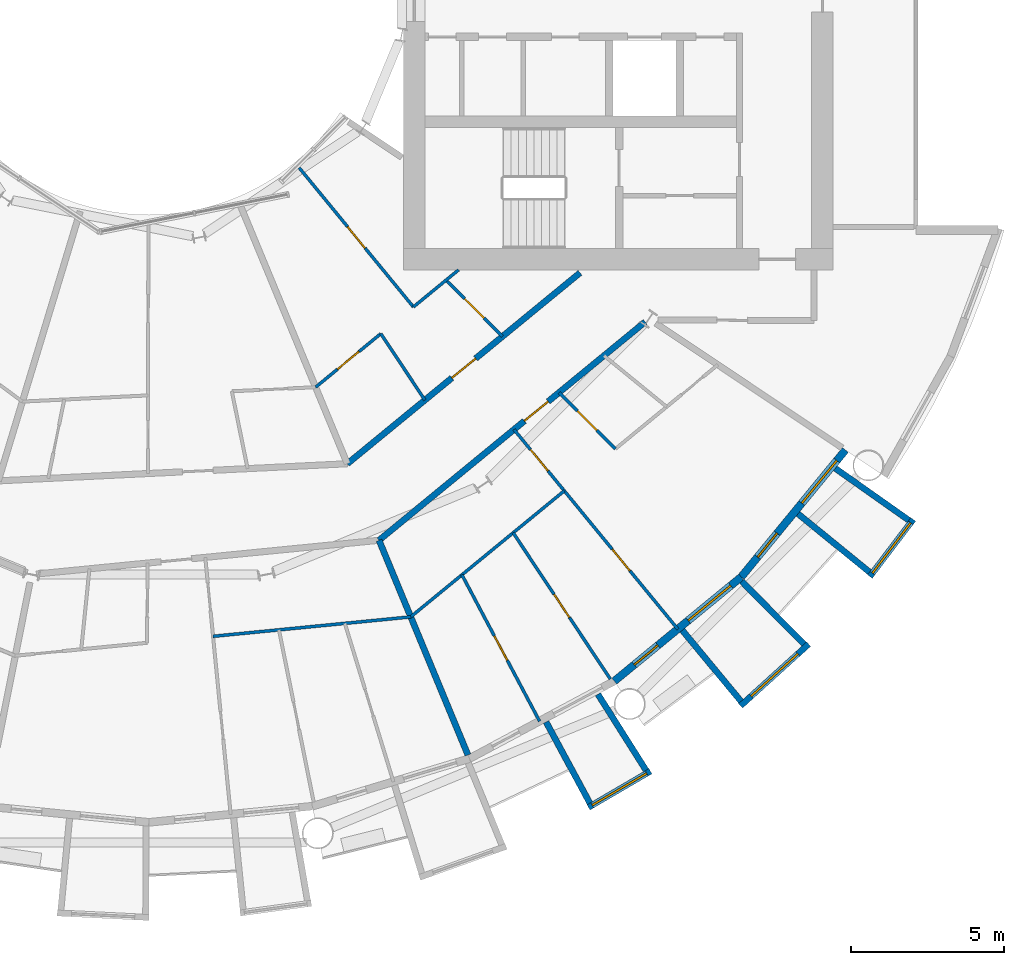
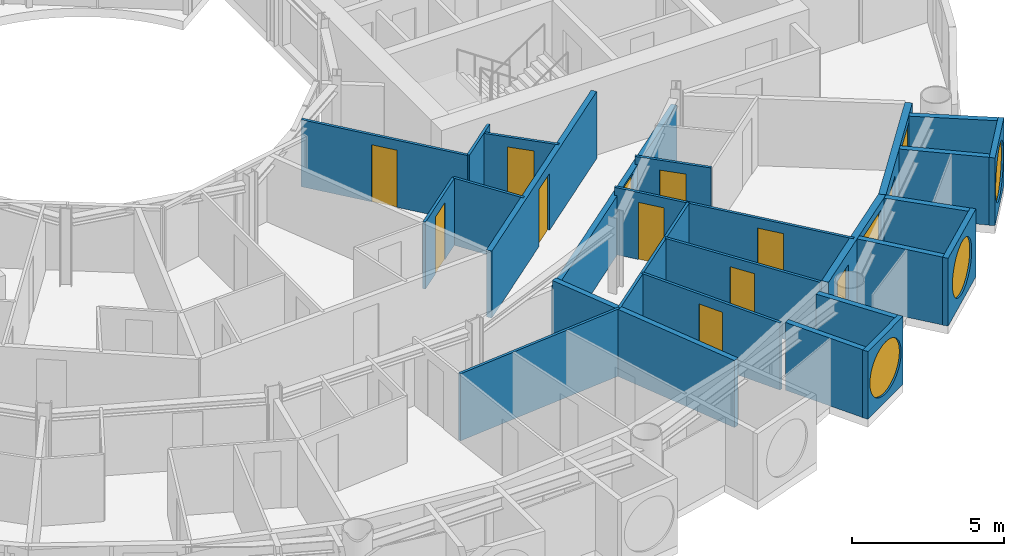
# One storey, part 16 of 26: 25 walls, 12 doors, 5 windows, 17 openings.
"""IFC4 building model written with IfcOpenShell, lengths in metres."""

import ifcopenshell
import ifcopenshell.guid

model = None  # the IFC model being written
_history = None  # IfcOwnerHistory: only IFC2X3 demands one
_inside = {}  # id of a spatial element -> (the spatial element, [elements in it])
_under = {}  # id of a project, library or spatial element -> (it, [spatial elements below it])
_declared = {}  # id of a project -> (the project, [libraries it declares])
_typed = {}  # id of a type object -> (the type object, [elements of that type])
_made_of = {}  # id of a material, layer set ... -> (it, [elements and type objects made of it])


def new_model(schema):
    """Start an empty IFC model of exactly this schema.

    Asked for "IFC4X3", IfcOpenShell would pick the latest addendum, in which some entities
    have other attributes; the version numbers below select the first issue.
    IFC2X3 requires an IfcOwnerHistory on every rooted entity: one is made here for all.
    """
    global model, _history
    if schema == "IFC4X3":
        model = ifcopenshell.file(schema_version=(4, 3, 0, 0))
    else:
        model = ifcopenshell.file(schema=schema)
    _inside.clear()
    _under.clear()
    _declared.clear()
    _typed.clear()
    _made_of.clear()
    _history = None
    if model.schema == "IFC2X3":
        org = make("IfcOrganization", Name="unknown")
        user = make(
            "IfcPersonAndOrganization",
            ThePerson=make("IfcPerson", FamilyName="unknown"),
            TheOrganization=org,
        )
        app = make(
            "IfcApplication",
            ApplicationDeveloper=org,
            Version="unknown",
            ApplicationFullName="unknown",
            ApplicationIdentifier="unknown",
        )
        _history = make(
            "IfcOwnerHistory",
            OwningUser=user,
            OwningApplication=app,
            ChangeAction="ADDED",
            CreationDate=0,
        )
    return model


def make(cls, **values):
    """One entity of the class cls with the attributes given. An attribute that is None is left unset."""
    return model.create_entity(
        cls, **{name: value for name, value in values.items() if value is not None}
    )


def rooted(cls, **values):
    """An entity with a GlobalId (a new one), such as an element, a storey or a relation."""
    return make(cls, GlobalId=ifcopenshell.guid.new(), OwnerHistory=_history, **values)


def si_unit(unit_type, name, prefix=None):
    """IfcSIUnit, for example si_unit("LENGTHUNIT", "METRE", prefix="MILLI")."""
    return make("IfcSIUnit", UnitType=unit_type, Prefix=prefix, Name=name)


def assignment(units):
    """IfcUnitAssignment: the units of a project."""
    return None if units is None else make("IfcUnitAssignment", Units=units)


def point(xyz):
    """IfcCartesianPoint."""
    return None if xyz is None else make("IfcCartesianPoint", Coordinates=xyz)


def direction(xyz):
    """IfcDirection."""
    return None if xyz is None else make("IfcDirection", DirectionRatios=xyz)


def frame(location, z_axis=None, x_axis=None):
    """IfcAxis2Placement3D, a coordinate frame: its origin and axes. An axis left out is left unset."""
    return make(
        "IfcAxis2Placement3D",
        Location=point(location),
        Axis=direction(z_axis),
        RefDirection=direction(x_axis),
    )


def frame_2d(location, x_axis=None):
    """IfcAxis2Placement2D, a coordinate frame in the plane: its origin and x axis."""
    return make(
        "IfcAxis2Placement2D", Location=point(location), RefDirection=direction(x_axis)
    )


def origin():
    """The frame at (0, 0, 0) with its axes left unset."""
    return frame((0.0, 0.0, 0.0))


def place(relative_to, where):
    """IfcLocalPlacement: puts the frame where relative to a parent placement (None: the world)."""
    return make(
        "IfcLocalPlacement", PlacementRelTo=relative_to, RelativePlacement=where
    )


def context(
    kind, dimensions, precision=None, world=None, true_north=None, identifier=None
):
    """IfcGeometricRepresentationContext, for example the 3D "Model" context."""
    return make(
        "IfcGeometricRepresentationContext",
        ContextIdentifier=identifier,
        ContextType=kind,
        CoordinateSpaceDimension=dimensions,
        Precision=precision,
        WorldCoordinateSystem=world,
        TrueNorth=true_north,
    )


def subcontext(parent, identifier, kind, view, scale=None):
    """IfcGeometricRepresentationSubContext, for example "Body" below "Model"."""
    return make(
        "IfcGeometricRepresentationSubContext",
        ContextIdentifier=identifier,
        ContextType=kind,
        ParentContext=parent,
        TargetScale=scale,
        TargetView=view,
    )


def project(units=None, contexts=None):
    """IfcProject with its units and contexts."""
    return rooted(
        "IfcProject",
        Name="project",
        RepresentationContexts=contexts,
        UnitsInContext=assignment(units),
    )


def spatial(cls, under=None, at=None, **own):
    """A site, building, storey or space (cls), placed at a placement, below another one or the project."""
    s = rooted(cls, ObjectPlacement=at, **own)
    if under is not None:
        _under.setdefault(under.id(), (under, []))[1].append(s)
    return s


def profile(cls, at=None, kind="AREA", **sizes):
    """A parametric profile (cls). Its sizes go by their IFC names, for example OverallWidth=200.0."""
    return make(cls, ProfileType=kind, Position=at, **sizes)


def rectangle(**sizes):
    """IfcRectangleProfileDef."""
    return profile("IfcRectangleProfileDef", **sizes)


def circle(**sizes):
    """IfcCircleProfileDef."""
    return profile("IfcCircleProfileDef", **sizes)


def extrude(swept, where, along, depth):
    """IfcExtrudedAreaSolid: the profile swept, set in the frame where, extruded along a direction by depth."""
    return make(
        "IfcExtrudedAreaSolid",
        SweptArea=swept,
        Position=where,
        ExtrudedDirection=direction(along),
        Depth=depth,
    )


def shape(context_of_items, identifier, shape_type, items):
    """IfcShapeRepresentation: the items that make up one representation, for example the "Body"."""
    return make(
        "IfcShapeRepresentation",
        ContextOfItems=context_of_items,
        RepresentationIdentifier=identifier,
        RepresentationType=shape_type,
        Items=items,
    )


def material(Name=None, Category=None):
    """IfcMaterial."""
    return make("IfcMaterial", Name=Name, Category=Category)


def layer(
    of_material, thickness, ventilated=None, Name=None, Category=None, Priority=None
):
    """IfcMaterialLayer: one layer of a wall or slab, of a material (None: an air gap)."""
    return make(
        "IfcMaterialLayer",
        Material=of_material,
        LayerThickness=thickness,
        IsVentilated=ventilated,
        Name=Name,
        Category=Category,
        Priority=Priority,
    )


def layer_set(layers, Name=None):
    """IfcMaterialLayerSet."""
    return make("IfcMaterialLayerSet", MaterialLayers=layers, LayerSetName=Name)


def made_of(thing, what):
    """Note that an element or type object is made of a material, layer set ...; save() writes the relation."""
    if what is not None:
        _made_of.setdefault(what.id(), (what, []))[1].append(thing)
    return thing


def type_object(cls, material=None, **own):
    """A type object (cls), such as IfcWallType, which elements share."""
    return made_of(rooted(cls, **own), material)


def element(
    cls,
    number,
    at=None,
    inside=None,
    cuts=None,
    type_object=None,
    material=None,
    context=None,
    identifier="Body",
    shape_type=None,
    held_by="IfcProductDefinitionShape",
    body=None,
    shapes=None,
    **own,
):
    """One element of the class cls, such as IfcWall. Its Tag is "e" and its number.

    at: its placement. inside: the storey or other place that contains it. cuts: it is an
    opening in that element (IfcRelVoidsElement). A single representation is given by context,
    identifier, shape_type and body (its items); several are given by shapes. held_by: the class
    of the entity that holds the representations. save() writes the other relations.
    """
    e = rooted(cls, Tag="e%d" % number, ObjectPlacement=at, **own)
    if body is not None:
        shapes = [shape(context, identifier, shape_type, body)]
    if shapes is not None:
        e.Representation = make(held_by, Representations=shapes)
    if inside is not None:
        _inside.setdefault(inside.id(), (inside, []))[1].append(e)
    if cuts is not None:
        rooted(
            "IfcRelVoidsElement", RelatingBuildingElement=cuts, RelatedOpeningElement=e
        )
    if type_object is not None:
        _typed.setdefault(type_object.id(), (type_object, []))[1].append(e)
    return made_of(e, material)


def fill(opening, filler):
    """IfcRelFillsElement: the door or window that sits in an opening."""
    return rooted(
        "IfcRelFillsElement",
        RelatingOpeningElement=opening,
        RelatedBuildingElement=filler,
    )


def aggregate(whole, parts):
    """IfcRelAggregates: a whole, such as a stair, and the parts it consists of."""
    return rooted("IfcRelAggregates", RelatingObject=whole, RelatedObjects=parts)


def save(model, path):
    """Write the relations noted so far, then the file.

    IfcRelAggregates (storeys below a building ...), IfcRelContainedInSpatialStructure (elements
    in a storey), IfcRelDefinesByType, IfcRelAssociatesMaterial and IfcRelDeclares: one each for
    every whole, place, type object, material and project.
    """
    for whole, parts in _under.values():
        aggregate(whole, parts)
    for where, things in _inside.values():
        rooted(
            "IfcRelContainedInSpatialStructure",
            RelatedElements=things,
            RelatingStructure=where,
        )
    for kind, things in _typed.values():
        rooted("IfcRelDefinesByType", RelatedObjects=things, RelatingType=kind)
    for what, things in _made_of.values():
        rooted("IfcRelAssociatesMaterial", RelatedObjects=things, RelatingMaterial=what)
    for by, libraries in _declared.values():
        rooted("IfcRelDeclares", RelatingContext=by, RelatedDefinitions=libraries)
    model.write(path)


model = new_model("IFC4")

# Units and contexts
model_context = context("Model", 3, precision=1e-05, world=origin(), true_north=direction((0.0, 1.0)))
body_context = subcontext(model_context, "Body", "Model", "MODEL_VIEW")
ifc_project = project(units=[si_unit("LENGTHUNIT", "METRE"), si_unit("AREAUNIT", "SQUARE_METRE"), si_unit("VOLUMEUNIT", "CUBIC_METRE"), si_unit("PLANEANGLEUNIT", "RADIAN"), si_unit("MASSUNIT", "GRAM", prefix="KILO")], contexts=[model_context])

# Site, building, storey
site_placement = place(None, origin())
site = spatial("IfcSite", under=ifc_project, at=site_placement, CompositionType="ELEMENT")
building_placement = place(site_placement, origin())
building = spatial("IfcBuilding", under=site, at=building_placement, Name="Maasbend Ring Residences", CompositionType="ELEMENT")
storey_placement = place(building_placement, frame((0.0, 0.0, 66.64990234375)))
storey = spatial("IfcBuildingStorey", under=building, at=storey_placement, Name="L18", CompositionType="ELEMENT", Elevation=66.64990234375)

# Wall, opening, door
ifc_material_1 = material(Name="Concrete C30/37", Category="concrete")
ifc_layer_1 = layer(ifc_material_1, 0.199951171875)
ifc_layer_set_1 = layer_set([ifc_layer_1], Name="Concrete C30/37")
wall_type_1 = type_object("IfcWallType", Name="CORRIDOR WALL 200 CONCRETE", PredefinedType="PARTITIONING", material=ifc_layer_set_1)
wall_1_placement = place(storey_placement, frame((7.498046875, -18.10888671875, 0.0), z_axis=(0.0, 0.0, 1.0), x_axis=(0.773076379635, 0.634312944256, 0.0)))
wall_1 = element("IfcWall", 1, at=wall_1_placement, inside=storey, type_object=wall_type_1, Name="U-L18-w014", PredefinedType="PARTITIONING", context=body_context, shape_type="SweptSolid", body=[
    extrude(rectangle(XDim=11.221435546875, YDim=0.199951171875, at=frame_2d((5.61083984375, 0.0))), origin(), (0.0, 0.0, 1.0), 2.380126953125),
])
opening_1_placement = place(wall_1_placement, frame((6.132080078125, 0.0, 0.0)))
opening_1 = element("IfcOpeningElement", 2, at=opening_1_placement, cuts=wall_1, Name="Opening D-1850", PredefinedType="OPENING", context=body_context, shape_type="SweptSolid", body=[
    extrude(rectangle(XDim=1.0, YDim=2.300048828125, at=frame_2d((0.5, 1.14990234375))), frame((0.0, 0.10986328125, 0.0), z_axis=(0.0, -1.0, 0.0), x_axis=(1.0, 0.0, 0.0)), (0.0, 0.0, 1.0), 0.219970703125),
])
ifc_material_2 = material(Name="Timber, fire-rated, painted", Category="wood")
door_type_1 = type_object("IfcDoorType", Name="FLAT ENTRANCE DOOR 1000 X 2300 FIRE-RATED", OperationType="NOTDEFINED", PredefinedType="DOOR", material=ifc_material_2)
door_1_placement = place(opening_1_placement, origin())
door_1 = element("IfcDoor", 3, at=door_1_placement, inside=storey, type_object=door_type_1, Name="D-1850", OperationType="SINGLE_SWING_RIGHT", OverallHeight=2.300048828125, OverallWidth=1.0, PredefinedType="DOOR", context=body_context, shape_type="SweptSolid", body=[
    extrude(rectangle(XDim=1.0, YDim=2.300048828125, at=frame_2d((0.5, 1.14990234375))), frame((0.0, 0.02490234375, 0.0), z_axis=(0.0, -1.0, 0.0), x_axis=(1.0, 0.0, 0.0)), (0.0, 0.0, 1.0), 0.050048828125),
])
fill(opening_1, door_1)

wall_2_placement = place(storey_placement, frame((6.467041015625, -15.614013671875, 0.0), z_axis=(0.0, 0.0, 1.0), x_axis=(0.773074935257, 0.634314704605, 0.0)))
wall_2 = element("IfcWall", 4, at=wall_2_placement, inside=storey, type_object=wall_type_1, Name="U-L18-w015", PredefinedType="PARTITIONING", context=body_context, shape_type="SweptSolid", body=[
    extrude(rectangle(XDim=9.808837890625, YDim=0.199951171875, at=frame_2d((4.904296875, 0.0))), origin(), (0.0, 0.0, 1.0), 2.7001953125),
])
opening_2_placement = place(wall_2_placement, frame((4.406982421875, 0.0, 0.0)))
opening_2 = element("IfcOpeningElement", 5, at=opening_2_placement, cuts=wall_2, Name="Opening D-1866", PredefinedType="OPENING", context=body_context, shape_type="SweptSolid", body=[
    extrude(rectangle(XDim=1.0, YDim=2.300048828125, at=frame_2d((0.5, 1.14990234375))), frame((0.0, 0.10986328125, 0.0), z_axis=(0.0, -1.0, 0.0), x_axis=(1.0, 0.0, 0.0)), (0.0, 0.0, 1.0), 0.219970703125),
])
door_2_placement = place(opening_2_placement, origin())
door_2 = element("IfcDoor", 6, at=door_2_placement, inside=storey, type_object=door_type_1, Name="D-1866", OperationType="SINGLE_SWING_RIGHT", OverallHeight=2.300048828125, OverallWidth=1.0, PredefinedType="DOOR", context=body_context, shape_type="SweptSolid", body=[
    extrude(rectangle(XDim=1.0, YDim=2.300048828125, at=frame_2d((0.5, 1.14990234375))), frame((0.0, 0.02490234375, 0.0), z_axis=(0.0, -1.0, 0.0), x_axis=(1.0, 0.0, 0.0)), (0.0, 0.0, 1.0), 0.050048828125),
])
fill(opening_2, door_2)

# Wall, opening, window
ifc_material_3 = material(Name="Pale anodised aluminium panel", Category="aluminium")
ifc_layer_2 = layer(ifc_material_3, 0.199951171875)
ifc_layer_set_2 = layer_set([ifc_layer_2], Name="EW-BOX")
wall_type_2 = type_object("IfcWallType", Name="EW-BOX", PredefinedType="SOLIDWALL", material=ifc_layer_set_2)
wall_3_placement = place(storey_placement, frame((14.326904296875, -26.81201171875, -0.02978515625), z_axis=(0.0, 0.0, 1.0), x_axis=(0.863346521872, 0.504611517081, 0.0)))
wall_3 = element("IfcWall", 7, at=wall_3_placement, inside=storey, type_object=wall_type_2, Name="Box front S16", PredefinedType="SOLIDWALL", context=body_context, shape_type="SweptSolid", body=[
    extrude(rectangle(XDim=2.33642578125, YDim=0.199951171875, at=frame_2d((1.168212890625, 0.0))), origin(), (0.0, 0.0, 1.0), 2.72998046875),
])
opening_3_placement = place(wall_3_placement, frame((0.128173828125, 0.0, 0.330078125)))
opening_3 = element("IfcOpeningElement", 8, at=opening_3_placement, cuts=wall_3, Name="Opening W-RD", PredefinedType="OPENING", context=body_context, shape_type="SweptSolid", body=[
    extrude(circle(Radius=1.0400390625, at=frame_2d((1.0400390625, 1.0400390625))), frame((0.0, 0.10986328125, 0.0), z_axis=(0.0, -1.0, 0.0), x_axis=(1.0, 0.0, 0.0)), (0.0, 0.0, 1.0), 0.219970703125),
])
ifc_material_4 = material(Name="Aluminium and clear glass", Category="aluminium")
window_type_1 = type_object("IfcWindowType", Name="W-RD", PartitioningType="SINGLE_PANEL", PredefinedType="WINDOW", material=ifc_material_4)
window_1_placement = place(opening_3_placement, origin())
window_1 = element("IfcWindow", 9, at=window_1_placement, inside=storey, type_object=window_type_1, Name="Round window S16", OverallHeight=2.080078125, OverallWidth=2.080078125, PartitioningType="SINGLE_PANEL", PredefinedType="WINDOW", context=body_context, shape_type="SweptSolid", body=[
    extrude(circle(Radius=1.0400390625, at=frame_2d((1.0400390625, 1.0400390625))), frame((0.0, 0.030029296875, 0.0), z_axis=(0.0, -1.0, 0.0), x_axis=(1.0, 0.0, 0.0)), (0.0, 0.0, 1.0), 0.06005859375),
])
fill(opening_3, window_1)

# Walls
wall_4_placement = place(storey_placement, frame((12.945068359375, -24.029052734375, -0.02978515625), z_axis=(0.0, 0.0, 1.0), x_axis=(0.474424310775, -0.88029629861, 0.0)))
element("IfcWall", 10, at=wall_4_placement, inside=storey, type_object=wall_type_2, Name="Box side wall S16 left", PredefinedType="SOLIDWALL", context=body_context, shape_type="SweptSolid", body=[
    extrude(rectangle(XDim=3.005859375, YDim=0.199951171875, at=frame_2d((1.5029296875, 0.0))), origin(), (0.0, 0.0, 1.0), 2.72998046875),
])
wall_5_placement = place(storey_placement, frame((14.635009765625, -23.1259765625, -0.02978515625), z_axis=(0.0, 0.0, 1.0), x_axis=(0.534437802731, -0.845207805816, 0.0)))
element("IfcWall", 11, at=wall_5_placement, inside=storey, type_object=wall_type_2, Name="Box side wall S16 right", PredefinedType="SOLIDWALL", context=body_context, shape_type="SweptSolid", body=[
    extrude(rectangle(XDim=2.931884765625, YDim=0.199951171875, at=frame_2d((1.4658203125, 0.0))), origin(), (0.0, 0.0, 1.0), 2.72998046875),
])

# Wall, opening, window
wall_6_placement = place(storey_placement, frame((19.281982421875, -23.5029296875, -0.02978515625), z_axis=(0.0, 0.0, 1.0), x_axis=(0.740998365753, 0.671506829416, 0.0)))
wall_6 = element("IfcWall", 12, at=wall_6_placement, inside=storey, type_object=wall_type_2, Name="Box front S18", PredefinedType="SOLIDWALL", context=body_context, shape_type="SweptSolid", body=[
    extrude(rectangle(XDim=2.9931640625, YDim=0.199951171875, at=frame_2d((1.49658203125, 0.0))), origin(), (0.0, 0.0, 1.0), 2.72998046875),
])
opening_4_placement = place(wall_6_placement, frame((0.45654296875, 0.0, 0.330078125)))
opening_4 = element("IfcOpeningElement", 13, at=opening_4_placement, cuts=wall_6, Name="Opening W-RD", PredefinedType="OPENING", context=body_context, shape_type="SweptSolid", body=[
    extrude(circle(Radius=1.0400390625, at=frame_2d((1.0400390625, 1.0400390625))), frame((0.0, 0.10986328125, 0.0), z_axis=(0.0, -1.0, 0.0), x_axis=(1.0, 0.0, 0.0)), (0.0, 0.0, 1.0), 0.219970703125),
])
window_2_placement = place(opening_4_placement, origin())
window_2 = element("IfcWindow", 14, at=window_2_placement, inside=storey, type_object=window_type_1, Name="Round window S18", OverallHeight=2.080078125, OverallWidth=2.080078125, PartitioningType="SINGLE_PANEL", PredefinedType="WINDOW", context=body_context, shape_type="SweptSolid", body=[
    extrude(circle(Radius=1.0400390625, at=frame_2d((1.0400390625, 1.0400390625))), frame((0.0, 0.030029296875, 0.0), z_axis=(0.0, -1.0, 0.0), x_axis=(1.0, 0.0, 0.0)), (0.0, 0.0, 1.0), 0.06005859375),
])
fill(opening_4, window_2)

# Walls
wall_7_placement = place(storey_placement, frame((17.384033203125, -21.041015625, -0.02978515625), z_axis=(0.0, 0.0, 1.0), x_axis=(0.63709551667, -0.770784861449, 0.0)))
element("IfcWall", 15, at=wall_7_placement, inside=storey, type_object=wall_type_2, Name="Box side wall S18 left", PredefinedType="SOLIDWALL", context=body_context, shape_type="SweptSolid", body=[
    extrude(rectangle(XDim=3.005859375, YDim=0.199951171875, at=frame_2d((1.5029296875, 0.0))), origin(), (0.0, 0.0, 1.0), 2.72998046875),
])
wall_8_placement = place(storey_placement, frame((19.322998046875, -19.449951171875, -0.02978515625), z_axis=(0.0, 0.0, 1.0), x_axis=(0.704476739375, -0.709727076896, 0.0)))
element("IfcWall", 16, at=wall_8_placement, inside=storey, type_object=wall_type_2, Name="Box side wall S18 right", PredefinedType="SOLIDWALL", context=body_context, shape_type="SweptSolid", body=[
    extrude(rectangle(XDim=2.883056640625, YDim=0.199951171875, at=frame_2d((1.44140625, 0.0))), origin(), (0.0, 0.0, 1.0), 2.72998046875),
])

# Wall, opening, window
wall_9_placement = place(storey_placement, frame((23.4970703125, -19.2890625, -0.02978515625), z_axis=(0.0, 0.0, 1.0), x_axis=(0.60418752353, 0.796842165306, 0.0)))
wall_9 = element("IfcWall", 17, at=wall_9_placement, inside=storey, type_object=wall_type_2, Name="Box front S20", PredefinedType="SOLIDWALL", context=body_context, shape_type="SweptSolid", body=[
    extrude(rectangle(XDim=2.3369140625, YDim=0.199951171875, at=frame_2d((1.16845703125, 0.0))), origin(), (0.0, 0.0, 1.0), 2.72998046875),
])
opening_5_placement = place(wall_9_placement, frame((0.128173828125, 0.0, 0.330078125)))
opening_5 = element("IfcOpeningElement", 18, at=opening_5_placement, cuts=wall_9, Name="Opening W-RD", PredefinedType="OPENING", context=body_context, shape_type="SweptSolid", body=[
    extrude(circle(Radius=1.0400390625, at=frame_2d((1.0400390625, 1.0400390625))), frame((0.0, 0.10986328125, 0.0), z_axis=(0.0, -1.0, 0.0), x_axis=(1.0, 0.0, 0.0)), (0.0, 0.0, 1.0), 0.219970703125),
])
window_3_placement = place(opening_5_placement, origin())
window_3 = element("IfcWindow", 19, at=window_3_placement, inside=storey, type_object=window_type_1, Name="Round window S20", OverallHeight=2.080078125, OverallWidth=2.080078125, PartitioningType="SINGLE_PANEL", PredefinedType="WINDOW", context=body_context, shape_type="SweptSolid", body=[
    extrude(circle(Radius=1.0400390625, at=frame_2d((1.0400390625, 1.0400390625))), frame((0.0, 0.030029296875, 0.0), z_axis=(0.0, -1.0, 0.0), x_axis=(1.0, 0.0, 0.0)), (0.0, 0.0, 1.0), 0.06005859375),
])
fill(opening_5, window_3)

# Walls
wall_10_placement = place(storey_placement, frame((21.155029296875, -17.24609375, -0.02978515625), z_axis=(0.0, 0.0, 1.0), x_axis=(0.775179004516, -0.631741648902, 0.0)))
element("IfcWall", 20, at=wall_10_placement, inside=storey, type_object=wall_type_2, Name="Box side wall S20 left", PredefinedType="SOLIDWALL", context=body_context, shape_type="SweptSolid", body=[
    extrude(rectangle(XDim=3.005859375, YDim=0.199951171875, at=frame_2d((1.5029296875, 0.0))), origin(), (0.0, 0.0, 1.0), 2.72998046875),
])
wall_11_placement = place(storey_placement, frame((22.3701171875, -15.764892578125, -0.02978515625), z_axis=(0.0, 0.0, 1.0), x_axis=(0.817256123454, -0.576274612209, 0.0)))
element("IfcWall", 21, at=wall_11_placement, inside=storey, type_object=wall_type_2, Name="Box side wall S20 right", PredefinedType="SOLIDWALL", context=body_context, shape_type="SweptSolid", body=[
    extrude(rectangle(XDim=2.932861328125, YDim=0.199951171875, at=frame_2d((1.46630859375, 0.0))), origin(), (0.0, 0.0, 1.0), 2.72998046875),
])

# Wall, openings, door, window
ifc_material_5 = material(Name="Aluminium clad insulated panel", Category="aluminium")
ifc_layer_3 = layer(ifc_material_5, 0.25)
ifc_layer_set_3 = layer_set([ifc_layer_3], Name="EW-GL")
wall_type_3 = type_object("IfcWallType", Name="EW-GL", PredefinedType="SOLIDWALL", material=ifc_layer_set_3)
wall_12_placement = place(storey_placement, frame((15.1669921875, -22.698974609375, 0.0), z_axis=(0.0, 0.0, 1.0), x_axis=(0.773019449054, 0.634382322723, 0.0)))
wall_12 = element("IfcWall", 22, at=wall_12_placement, inside=storey, type_object=wall_type_3, Name="External wall S09", PredefinedType="SOLIDWALL", context=body_context, shape_type="SweptSolid", body=[
    extrude(rectangle(XDim=5.351806640625, YDim=0.25, at=frame_2d((2.67578125, 0.0))), origin(), (0.0, 0.0, 1.0), 2.7001953125),
])
opening_6_placement = place(wall_12_placement, frame((0.841064453125, 0.0, 0.0)))
opening_6 = element("IfcOpeningElement", 23, at=opening_6_placement, cuts=wall_12, Name="Opening D-LG", PredefinedType="OPENING", context=body_context, shape_type="SweptSolid", body=[
    extrude(rectangle(XDim=1.0, YDim=2.199951171875, at=frame_2d((0.5, 1.10009765625))), frame((0.0, 0.135009765625, 0.0), z_axis=(0.0, -1.0, 0.0), x_axis=(1.0, 0.0, 0.0)), (0.0, 0.0, 1.0), 0.27001953125),
])
opening_7_placement = place(wall_12_placement, frame((3.110595703125, 0.0, 0.300048828125)))
opening_7 = element("IfcOpeningElement", 24, at=opening_7_placement, cuts=wall_12, Name="Opening W-BX", PredefinedType="OPENING", context=body_context, shape_type="SweptSolid", body=[
    extrude(rectangle(XDim=1.800048828125, YDim=2.10009765625, at=frame_2d((0.89990234375, 1.050048828125))), frame((0.0, 0.135009765625, 0.0), z_axis=(0.0, -1.0, 0.0), x_axis=(1.0, 0.0, 0.0)), (0.0, 0.0, 1.0), 0.27001953125),
])
ifc_material_6 = material(Name="Aluminium and clear glass", Category="aluminium")
door_type_2 = type_object("IfcDoorType", Name="D-LG", OperationType="SINGLE_SWING_LEFT", PredefinedType="DOOR", material=ifc_material_6)
door_3_placement = place(opening_6_placement, origin())
door_3 = element("IfcDoor", 25, at=door_3_placement, inside=storey, type_object=door_type_2, Name="Loggia door S17", OperationType="SINGLE_SWING_LEFT", OverallHeight=2.199951171875, OverallWidth=1.0, PredefinedType="DOOR", context=body_context, shape_type="SweptSolid", body=[
    extrude(rectangle(XDim=1.0, YDim=2.199951171875, at=frame_2d((0.5, 1.10009765625))), frame((0.0, 0.02490234375, 0.0), z_axis=(0.0, -1.0, 0.0), x_axis=(1.0, 0.0, 0.0)), (0.0, 0.0, 1.0), 0.050048828125),
])
fill(opening_6, door_3)
ifc_material_7 = material(Name="Aluminium and clear glass", Category="aluminium")
window_type_2 = type_object("IfcWindowType", Name="W-BX", PartitioningType="DOUBLE_PANEL_VERTICAL", PredefinedType="WINDOW", material=ifc_material_7)
window_4_placement = place(opening_7_placement, origin())
window_4 = element("IfcWindow", 26, at=window_4_placement, inside=storey, type_object=window_type_2, Name="Window S18 room to box", OverallHeight=2.10009765625, OverallWidth=1.800048828125, PartitioningType="SINGLE_PANEL", PredefinedType="WINDOW", context=body_context, shape_type="SweptSolid", body=[
    extrude(rectangle(XDim=1.800048828125, YDim=2.10009765625, at=frame_2d((0.89990234375, 1.050048828125))), frame((0.0, 0.030029296875, 0.0), z_axis=(0.0, -1.0, 0.0), x_axis=(1.0, 0.0, 0.0)), (0.0, 0.0, 1.0), 0.06005859375),
])
fill(opening_7, window_4)

wall_13_placement = place(storey_placement, frame((19.303955078125, -19.303955078125, 0.0), z_axis=(0.0, 0.0, 1.0), x_axis=(0.634382322723, 0.773019449054, 0.0)))
wall_13 = element("IfcWall", 27, at=wall_13_placement, inside=storey, type_object=wall_type_3, Name="External wall S10", PredefinedType="SOLIDWALL", context=body_context, shape_type="SweptSolid", body=[
    extrude(rectangle(XDim=5.351806640625, YDim=0.25, at=frame_2d((2.67578125, 0.0))), origin(), (0.0, 0.0, 1.0), 2.7001953125),
])
opening_8_placement = place(wall_13_placement, frame((0.841064453125, 0.0, 0.0)))
opening_8 = element("IfcOpeningElement", 28, at=opening_8_placement, cuts=wall_13, Name="Opening D-LG", PredefinedType="OPENING", context=body_context, shape_type="SweptSolid", body=[
    extrude(rectangle(XDim=1.0, YDim=2.199951171875, at=frame_2d((0.5, 1.10009765625))), frame((0.0, 0.135009765625, 0.0), z_axis=(0.0, -1.0, 0.0), x_axis=(1.0, 0.0, 0.0)), (0.0, 0.0, 1.0), 0.27001953125),
])
opening_9_placement = place(wall_13_placement, frame((3.110595703125, 0.0, 0.300048828125)))
opening_9 = element("IfcOpeningElement", 29, at=opening_9_placement, cuts=wall_13, Name="Opening W-BX", PredefinedType="OPENING", context=body_context, shape_type="SweptSolid", body=[
    extrude(rectangle(XDim=1.800048828125, YDim=2.10009765625, at=frame_2d((0.89990234375, 1.050048828125))), frame((0.0, 0.135009765625, 0.0), z_axis=(0.0, -1.0, 0.0), x_axis=(1.0, 0.0, 0.0)), (0.0, 0.0, 1.0), 0.27001953125),
])
door_4_placement = place(opening_8_placement, origin())
door_4 = element("IfcDoor", 30, at=door_4_placement, inside=storey, type_object=door_type_2, Name="Loggia door S19", OperationType="SINGLE_SWING_LEFT", OverallHeight=2.199951171875, OverallWidth=1.0, PredefinedType="DOOR", context=body_context, shape_type="SweptSolid", body=[
    extrude(rectangle(XDim=1.0, YDim=2.199951171875, at=frame_2d((0.5, 1.10009765625))), frame((0.0, 0.02490234375, 0.0), z_axis=(0.0, -1.0, 0.0), x_axis=(1.0, 0.0, 0.0)), (0.0, 0.0, 1.0), 0.050048828125),
])
fill(opening_8, door_4)
window_5_placement = place(opening_9_placement, origin())
window_5 = element("IfcWindow", 31, at=window_5_placement, inside=storey, type_object=window_type_2, Name="Window S20 room to box", OverallHeight=2.10009765625, OverallWidth=1.800048828125, PartitioningType="SINGLE_PANEL", PredefinedType="WINDOW", context=body_context, shape_type="SweptSolid", body=[
    extrude(rectangle(XDim=1.800048828125, YDim=2.10009765625, at=frame_2d((0.89990234375, 1.050048828125))), frame((0.0, 0.030029296875, 0.0), z_axis=(0.0, -1.0, 0.0), x_axis=(1.0, 0.0, 0.0)), (0.0, 0.0, 1.0), 0.06005859375),
])
fill(opening_9, window_5)

# Walls
ifc_material_8 = material(Name="Gypsum board on steel studs", Category="steel")
ifc_layer_4 = layer(ifc_material_8, 0.10009765625)
ifc_layer_set_4 = layer_set([ifc_layer_4], Name="PARTITION 100 GYPSUM")
wall_type_4 = type_object("IfcWallType", Name="PARTITION 100 GYPSUM", PredefinedType="PARTITIONING", material=ifc_layer_set_4)
wall_14_placement = place(storey_placement, frame((2.089111328125, -21.238037109375, 0.0), z_axis=(0.0, 0.0, 1.0), x_axis=(0.995211787668, 0.097741995509, 0.0)))
element("IfcWall", 32, at=wall_14_placement, inside=storey, type_object=wall_type_4, Name="U-L18-w008", PredefinedType="PARTITIONING", context=body_context, shape_type="SweptSolid", body=[
    extrude(rectangle(XDim=6.476806640625, YDim=0.10009765625, at=frame_2d((3.23828125, 0.0))), origin(), (0.0, 0.0, 1.0), 2.7001953125),
])
wall_15_placement = place(storey_placement, frame((8.533935546875, -20.60302734375, 0.0), z_axis=(0.0, 0.0, 1.0), x_axis=(0.773000340237, 0.634405606843, 0.0)))
element("IfcWall", 33, at=wall_15_placement, inside=storey, type_object=wall_type_4, Name="U-L18-w009", PredefinedType="PARTITIONING", context=body_context, shape_type="SweptSolid", body=[
    extrude(rectangle(XDim=6.4736328125, YDim=0.10009765625, at=frame_2d((3.23681640625, 0.0))), origin(), (0.0, 0.0, 1.0), 2.7001953125),
])

# Wall, opening, door
wall_16_placement = place(storey_placement, frame((5.43408203125, -13.118896484375, 0.0), z_axis=(0.0, 0.0, 1.0), x_axis=(0.773049907698, 0.634345205868, 0.0)))
wall_16 = element("IfcWall", 34, at=wall_16_placement, inside=storey, type_object=wall_type_4, Name="U-L18-w018", PredefinedType="PARTITIONING", context=body_context, shape_type="SweptSolid", body=[
    extrude(rectangle(XDim=2.74755859375, YDim=0.10009765625, at=frame_2d((1.373779296875, 0.0))), origin(), (0.0, 0.0, 1.0), 2.7001953125),
])
opening_10_placement = place(wall_16_placement, frame((0.924072265625, 0.0, 0.0)))
opening_10 = element("IfcOpeningElement", 35, at=opening_10_placement, cuts=wall_16, Name="Opening D-1867", PredefinedType="OPENING", context=body_context, shape_type="SweptSolid", body=[
    extrude(rectangle(XDim=0.89990234375, YDim=2.300048828125, at=frame_2d((0.449951171875, 1.14990234375))), frame((0.0, 0.06005859375, 0.0), z_axis=(0.0, -1.0, 0.0), x_axis=(1.0, 0.0, 0.0)), (0.0, 0.0, 1.0), 0.1201171875),
])
ifc_material_9 = material(Name="Timber, painted", Category="wood")
door_type_3 = type_object("IfcDoorType", Name="INTERNAL DOOR 900 X 2300", OperationType="NOTDEFINED", PredefinedType="DOOR", material=ifc_material_9)
door_5_placement = place(opening_10_placement, origin())
door_5 = element("IfcDoor", 36, at=door_5_placement, inside=storey, type_object=door_type_3, Name="D-1867", OperationType="SINGLE_SWING_RIGHT", OverallHeight=2.300048828125, OverallWidth=0.89990234375, PredefinedType="DOOR", context=body_context, shape_type="SweptSolid", body=[
    extrude(rectangle(XDim=0.89990234375, YDim=2.300048828125, at=frame_2d((0.449951171875, 1.14990234375))), frame((0.0, 0.02490234375, 0.0), z_axis=(0.0, -1.0, 0.0), x_axis=(1.0, 0.0, 0.0)), (0.0, 0.0, 1.0), 0.050048828125),
])
fill(opening_10, door_5)

# Wall
wall_17_placement = place(storey_placement, frame((8.6201171875, -10.5048828125, 0.0), z_axis=(0.0, 0.0, 1.0), x_axis=(0.772957368531, 0.6344579627, 0.0)))
element("IfcWall", 37, at=wall_17_placement, inside=storey, type_object=wall_type_4, Name="U-L18-w019", PredefinedType="PARTITIONING", context=body_context, shape_type="SweptSolid", body=[
    extrude(rectangle(XDim=1.905517578125, YDim=0.10009765625, at=frame_2d((0.95263671875, 0.0))), origin(), (0.0, 0.0, 1.0), 2.7001953125),
])

# Wall, opening, door
wall_18_placement = place(storey_placement, frame((4.89794921875, -5.968017578125, 0.0), z_axis=(0.0, 0.0, 1.0), x_axis=(0.634358693064, -0.773038840249, 0.0)))
wall_18 = element("IfcWall", 38, at=wall_18_placement, inside=storey, type_object=wall_type_4, Name="U-L18-w069", PredefinedType="PARTITIONING", context=body_context, shape_type="SweptSolid", body=[
    extrude(rectangle(XDim=5.86767578125, YDim=0.10009765625, at=frame_2d((2.933837890625, 0.0))), origin(), (0.0, 0.0, 1.0), 2.7001953125),
])
opening_11_placement = place(wall_18_placement, frame((2.48388671875, 0.0, 0.0)))
opening_11 = element("IfcOpeningElement", 39, at=opening_11_placement, cuts=wall_18, Name="Opening D-1869", PredefinedType="OPENING", context=body_context, shape_type="SweptSolid", body=[
    extrude(rectangle(XDim=0.89990234375, YDim=2.300048828125, at=frame_2d((0.449951171875, 1.14990234375))), frame((0.0, 0.06005859375, 0.0), z_axis=(0.0, -1.0, 0.0), x_axis=(1.0, 0.0, 0.0)), (0.0, 0.0, 1.0), 0.1201171875),
])
door_6_placement = place(opening_11_placement, origin())
door_6 = element("IfcDoor", 40, at=door_6_placement, inside=storey, type_object=door_type_3, Name="D-1869", OperationType="SINGLE_SWING_LEFT", OverallHeight=2.300048828125, OverallWidth=0.89990234375, PredefinedType="DOOR", context=body_context, shape_type="SweptSolid", body=[
    extrude(rectangle(XDim=0.89990234375, YDim=2.300048828125, at=frame_2d((0.449951171875, 1.14990234375))), frame((0.0, 0.02490234375, 0.0), z_axis=(0.0, -1.0, 0.0), x_axis=(1.0, 0.0, 0.0)), (0.0, 0.0, 1.0), 0.050048828125),
])
fill(opening_11, door_6)

# Wall
wall_19_placement = place(storey_placement, frame((7.55810546875, -11.3759765625, 0.0), z_axis=(0.0, 0.0, 1.0), x_axis=(0.553615197403, -0.83277260594, 0.0)))
element("IfcWall", 41, at=wall_19_placement, inside=storey, type_object=wall_type_4, Name="U-L18-w076", PredefinedType="PARTITIONING", context=body_context, shape_type="SweptSolid", body=[
    extrude(rectangle(XDim=2.597412109375, YDim=0.10009765625, at=frame_2d((1.298828125, 0.0))), origin(), (0.0, 0.0, 1.0), 2.7001953125),
])

# Wall, opening, door
wall_20_placement = place(storey_placement, frame((9.68310546875, -9.632080078125, 0.0), z_axis=(0.0, 0.0, 1.0), x_axis=(0.708796844581, -0.705412668665, 0.0)))
wall_20 = element("IfcWall", 42, at=wall_20_placement, inside=storey, type_object=wall_type_4, Name="U-L18-w077", PredefinedType="PARTITIONING", context=body_context, shape_type="SweptSolid", body=[
    extrude(rectangle(XDim=2.59716796875, YDim=0.10009765625, at=frame_2d((1.298583984375, 0.0))), origin(), (0.0, 0.0, 1.0), 2.7001953125),
])
opening_12_placement = place(wall_20_placement, frame((0.84912109375, 0.0, 0.0)))
opening_12 = element("IfcOpeningElement", 43, at=opening_12_placement, cuts=wall_20, Name="Opening D-1868", PredefinedType="OPENING", context=body_context, shape_type="SweptSolid", body=[
    extrude(rectangle(XDim=0.89990234375, YDim=2.300048828125, at=frame_2d((0.449951171875, 1.14990234375))), frame((0.0, 0.06005859375, 0.0), z_axis=(0.0, -1.0, 0.0), x_axis=(1.0, 0.0, 0.0)), (0.0, 0.0, 1.0), 0.1201171875),
])
door_7_placement = place(opening_12_placement, origin())
door_7 = element("IfcDoor", 44, at=door_7_placement, inside=storey, type_object=door_type_3, Name="D-1868", OperationType="SINGLE_SWING_RIGHT", OverallHeight=2.300048828125, OverallWidth=0.89990234375, PredefinedType="DOOR", context=body_context, shape_type="SweptSolid", body=[
    extrude(rectangle(XDim=0.89990234375, YDim=2.300048828125, at=frame_2d((0.449951171875, 1.14990234375))), frame((0.0, 0.02490234375, 0.0), z_axis=(0.0, -1.0, 0.0), x_axis=(1.0, 0.0, 0.0)), (0.0, 0.0, 1.0), 0.050048828125),
])
fill(opening_12, door_7)

wall_21_placement = place(storey_placement, frame((10.201904296875, -19.23388671875, 0.0), z_axis=(0.0, 0.0, 1.0), x_axis=(0.468610030042, -0.883405139075, 0.0)))
wall_21 = element("IfcWall", 45, at=wall_21_placement, inside=storey, type_object=wall_type_4, Name="U-L18-w078", PredefinedType="PARTITIONING", context=body_context, shape_type="SweptSolid", body=[
    extrude(rectangle(XDim=5.403076171875, YDim=0.10009765625, at=frame_2d((2.70166015625, 0.0))), origin(), (0.0, 0.0, 1.0), 2.7001953125),
])
opening_13_placement = place(wall_21_placement, frame((2.251953125, 0.0, 0.0)))
opening_13 = element("IfcOpeningElement", 46, at=opening_13_placement, cuts=wall_21, Name="Opening D-1856", PredefinedType="OPENING", context=body_context, shape_type="SweptSolid", body=[
    extrude(rectangle(XDim=0.89990234375, YDim=2.300048828125, at=frame_2d((0.449951171875, 1.14990234375))), frame((0.0, 0.06005859375, 0.0), z_axis=(0.0, -1.0, 0.0), x_axis=(1.0, 0.0, 0.0)), (0.0, 0.0, 1.0), 0.1201171875),
])
door_8_placement = place(opening_13_placement, origin())
door_8 = element("IfcDoor", 47, at=door_8_placement, inside=storey, type_object=door_type_3, Name="D-1856", OperationType="SINGLE_SWING_RIGHT", OverallHeight=2.300048828125, OverallWidth=0.89990234375, PredefinedType="DOOR", context=body_context, shape_type="SweptSolid", body=[
    extrude(rectangle(XDim=0.89990234375, YDim=2.300048828125, at=frame_2d((0.449951171875, 1.14990234375))), frame((0.0, 0.02490234375, 0.0), z_axis=(0.0, -1.0, 0.0), x_axis=(1.0, 0.0, 0.0)), (0.0, 0.0, 1.0), 0.050048828125),
])
fill(opening_13, door_8)

wall_22_placement = place(storey_placement, frame((11.87109375, -17.864013671875, 0.0), z_axis=(0.0, 0.0, 1.0), x_axis=(0.553637025191, -0.83275809473, 0.0)))
wall_22 = element("IfcWall", 48, at=wall_22_placement, inside=storey, type_object=wall_type_4, Name="U-L18-w081", PredefinedType="PARTITIONING", context=body_context, shape_type="SweptSolid", body=[
    extrude(rectangle(XDim=5.7255859375, YDim=0.10009765625, at=frame_2d((2.86279296875, 0.0))), origin(), (0.0, 0.0, 1.0), 2.7001953125),
])
opening_14_placement = place(wall_22_placement, frame((2.4130859375, 0.0, 0.0)))
opening_14 = element("IfcOpeningElement", 49, at=opening_14_placement, cuts=wall_22, Name="Opening D-1855", PredefinedType="OPENING", context=body_context, shape_type="SweptSolid", body=[
    extrude(rectangle(XDim=0.89990234375, YDim=2.300048828125, at=frame_2d((0.449951171875, 1.14990234375))), frame((0.0, 0.06005859375, 0.0), z_axis=(0.0, -1.0, 0.0), x_axis=(1.0, 0.0, 0.0)), (0.0, 0.0, 1.0), 0.1201171875),
])
door_9_placement = place(opening_14_placement, origin())
door_9 = element("IfcDoor", 50, at=door_9_placement, inside=storey, type_object=door_type_3, Name="D-1855", OperationType="SINGLE_SWING_RIGHT", OverallHeight=2.300048828125, OverallWidth=0.89990234375, PredefinedType="DOOR", context=body_context, shape_type="SweptSolid", body=[
    extrude(rectangle(XDim=0.89990234375, YDim=2.300048828125, at=frame_2d((0.449951171875, 1.14990234375))), frame((0.0, 0.02490234375, 0.0), z_axis=(0.0, -1.0, 0.0), x_axis=(1.0, 0.0, 0.0)), (0.0, 0.0, 1.0), 0.050048828125),
])
fill(opening_14, door_9)

# Wall, openings, doors
wall_23_placement = place(storey_placement, frame((11.89892578125, -14.4990234375, 0.0), z_axis=(0.0, 0.0, 1.0), x_axis=(0.634396151441, -0.77300810024, 0.0)))
wall_23 = element("IfcWall", 51, at=wall_23_placement, inside=storey, type_object=wall_type_4, Name="U-L18-w082", PredefinedType="PARTITIONING", context=body_context, shape_type="SweptSolid", body=[
    extrude(rectangle(XDim=8.419189453125, YDim=0.10009765625, at=frame_2d((4.20947265625, 0.0))), origin(), (0.0, 0.0, 1.0), 2.7001953125),
])
opening_15_placement = place(wall_23_placement, frame((0.842041015625, 0.0, 0.0)))
opening_15 = element("IfcOpeningElement", 52, at=opening_15_placement, cuts=wall_23, Name="Opening D-1853", PredefinedType="OPENING", context=body_context, shape_type="SweptSolid", body=[
    extrude(rectangle(XDim=0.89990234375, YDim=2.300048828125, at=frame_2d((0.449951171875, 1.14990234375))), frame((0.0, 0.06005859375, 0.0), z_axis=(0.0, -1.0, 0.0), x_axis=(1.0, 0.0, 0.0)), (0.0, 0.0, 1.0), 0.1201171875),
])
opening_16_placement = place(wall_23_placement, frame((5.051025390625, 0.0, 0.0)))
opening_16 = element("IfcOpeningElement", 53, at=opening_16_placement, cuts=wall_23, Name="Opening D-1854", PredefinedType="OPENING", context=body_context, shape_type="SweptSolid", body=[
    extrude(rectangle(XDim=0.89990234375, YDim=2.300048828125, at=frame_2d((0.449951171875, 1.14990234375))), frame((0.0, 0.06005859375, 0.0), z_axis=(0.0, -1.0, 0.0), x_axis=(1.0, 0.0, 0.0)), (0.0, 0.0, 1.0), 0.1201171875),
])
door_10_placement = place(opening_15_placement, origin())
door_10 = element("IfcDoor", 54, at=door_10_placement, inside=storey, type_object=door_type_3, Name="D-1853", OperationType="SINGLE_SWING_LEFT", OverallHeight=2.300048828125, OverallWidth=0.89990234375, PredefinedType="DOOR", context=body_context, shape_type="SweptSolid", body=[
    extrude(rectangle(XDim=0.89990234375, YDim=2.300048828125, at=frame_2d((0.449951171875, 1.14990234375))), frame((0.0, 0.02490234375, 0.0), z_axis=(0.0, -1.0, 0.0), x_axis=(1.0, 0.0, 0.0)), (0.0, 0.0, 1.0), 0.050048828125),
])
fill(opening_15, door_10)
door_11_placement = place(opening_16_placement, origin())
door_11 = element("IfcDoor", 55, at=door_11_placement, inside=storey, type_object=door_type_3, Name="D-1854", OperationType="SINGLE_SWING_RIGHT", OverallHeight=2.300048828125, OverallWidth=0.89990234375, PredefinedType="DOOR", context=body_context, shape_type="SweptSolid", body=[
    extrude(rectangle(XDim=0.89990234375, YDim=2.300048828125, at=frame_2d((0.449951171875, 1.14990234375))), frame((0.0, 0.02490234375, 0.0), z_axis=(0.0, -1.0, 0.0), x_axis=(1.0, 0.0, 0.0)), (0.0, 0.0, 1.0), 0.050048828125),
])
fill(opening_16, door_11)

# Wall, opening, door
wall_24_placement = place(storey_placement, frame((13.364990234375, -13.2958984375, 0.0), z_axis=(0.0, 0.0, 1.0), x_axis=(0.708843617398, -0.705365668341, 0.0)))
wall_24 = element("IfcWall", 56, at=wall_24_placement, inside=storey, type_object=wall_type_4, Name="U-L18-w083", PredefinedType="PARTITIONING", context=body_context, shape_type="SweptSolid", body=[
    extrude(rectangle(XDim=2.59716796875, YDim=0.10009765625, at=frame_2d((1.298583984375, 0.0))), origin(), (0.0, 0.0, 1.0), 2.7001953125),
])
opening_17_placement = place(wall_24_placement, frame((0.847900390625, 0.0, 0.0)))
opening_17 = element("IfcOpeningElement", 57, at=opening_17_placement, cuts=wall_24, Name="Opening D-1852", PredefinedType="OPENING", context=body_context, shape_type="SweptSolid", body=[
    extrude(rectangle(XDim=0.89990234375, YDim=2.300048828125, at=frame_2d((0.449951171875, 1.14990234375))), frame((0.0, 0.06005859375, 0.0), z_axis=(0.0, -1.0, 0.0), x_axis=(1.0, 0.0, 0.0)), (0.0, 0.0, 1.0), 0.1201171875),
])
door_12_placement = place(opening_17_placement, origin())
door_12 = element("IfcDoor", 58, at=door_12_placement, inside=storey, type_object=door_type_3, Name="D-1852", OperationType="SINGLE_SWING_LEFT", OverallHeight=2.300048828125, OverallWidth=0.89990234375, PredefinedType="DOOR", context=body_context, shape_type="SweptSolid", body=[
    extrude(rectangle(XDim=0.89990234375, YDim=2.300048828125, at=frame_2d((0.449951171875, 1.14990234375))), frame((0.0, 0.02490234375, 0.0), z_axis=(0.0, -1.0, 0.0), x_axis=(1.0, 0.0, 0.0)), (0.0, 0.0, 1.0), 0.050048828125),
])
fill(opening_17, door_12)

# Wall
ifc_material_10 = material(Name="Concrete C30/37", Category="concrete")
ifc_layer_5 = layer(ifc_material_10, 0.199951171875)
ifc_layer_set_5 = layer_set([ifc_layer_5], Name="Concrete C30/37")
wall_type_5 = type_object("IfcWallType", Name="PARTY WALL 200 CONCRETE", PredefinedType="PARTITIONING", material=ifc_layer_set_5)
wall_25_placement = place(storey_placement, frame((7.5009765625, -18.10791015625, 0.0), z_axis=(0.0, 0.0, 1.0), x_axis=(0.382600411313, -0.923913916587, 0.0)))
element("IfcWall", 59, at=wall_25_placement, inside=storey, type_object=wall_type_5, Name="U-L18-w075", PredefinedType="PARTITIONING", context=body_context, shape_type="SweptSolid", body=[
    extrude(rectangle(XDim=7.574462890625, YDim=0.199951171875, at=frame_2d((3.787109375, 0.0))), origin(), (0.0, 0.0, 1.0), 2.7001953125),
])

save(model, "model.ifc")
